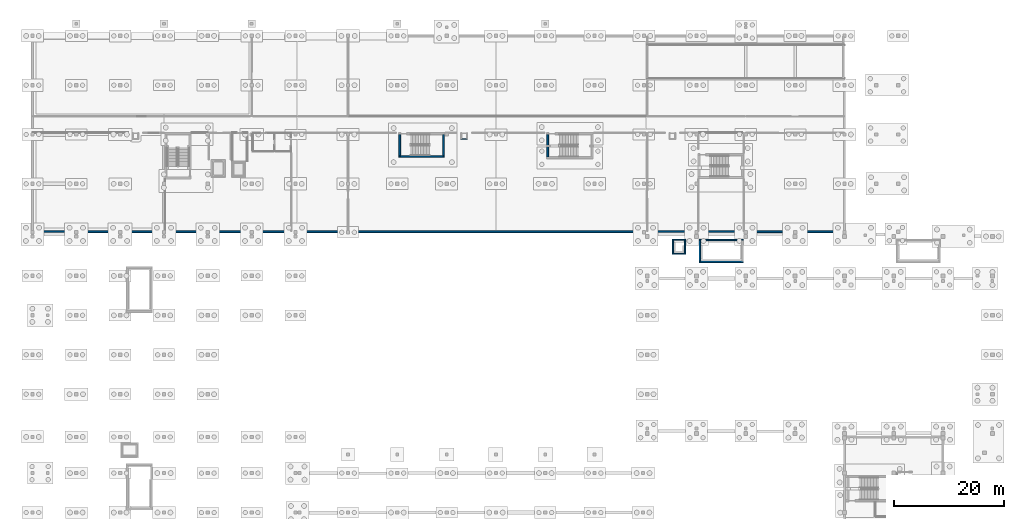
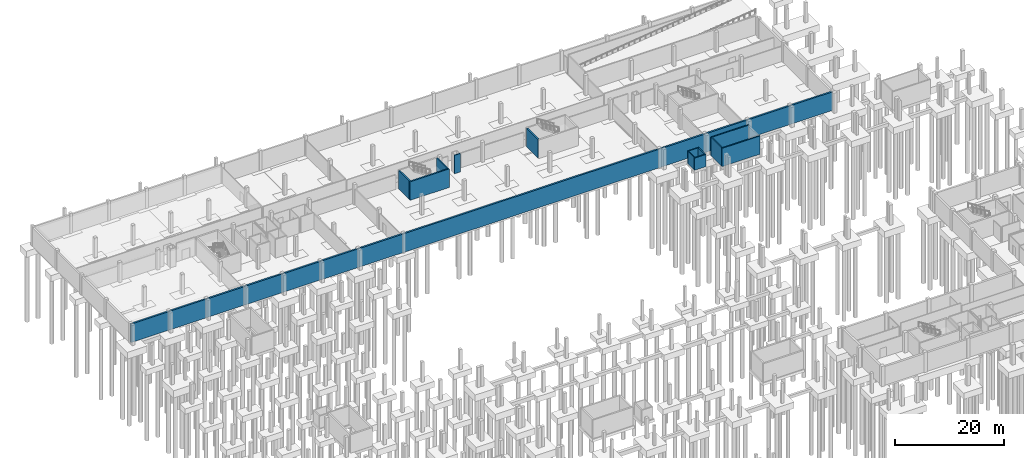
# One storey, part 21 of 36: 13 walls.
"""IFC4 building model written with IfcOpenShell, lengths in metres."""

from ifc_helpers import new_model, si_unit, direction, frame, frame_2d, origin, place, context, subcontext, project, spatial, rectangle, extrude, material, layer, layer_set, type_object, element, save


model = new_model("IFC4")

# Units and contexts
model_context = context("Model", 3, precision=1e-05, world=origin(), true_north=direction((0.0, 1.0)))
body_context = subcontext(model_context, "Body", "Model", "MODEL_VIEW")
ifc_project = project(units=[si_unit("LENGTHUNIT", "METRE"), si_unit("AREAUNIT", "SQUARE_METRE"), si_unit("VOLUMEUNIT", "CUBIC_METRE"), si_unit("PLANEANGLEUNIT", "RADIAN"), si_unit("MASSUNIT", "GRAM", prefix="KILO")], contexts=[model_context])

# Site, building, storey
site_placement = place(None, origin())
site = spatial("IfcSite", under=ifc_project, at=site_placement, CompositionType="ELEMENT")
building_placement = place(site_placement, origin())
building = spatial("IfcBuilding", under=site, at=building_placement, Name="Chiffa Square Polytechnic", CompositionType="ELEMENT")
storey_placement = place(building_placement, frame((0.0, 0.0, -4.5)))
storey = spatial("IfcBuildingStorey", under=building, at=storey_placement, Name="B1", CompositionType="ELEMENT", Elevation=-4.5)

# Walls
ifc_material_1 = material(Name="Concrete C40/50", Category="concrete")
ifc_layer_1 = layer(ifc_material_1, 0.25, Name="Concrete C40/50")
ifc_layer_set_1 = layer_set([ifc_layer_1], Name="Concrete C40/50")
wall_type_1 = type_object("IfcWallType", Name="WL-CORE-250", PredefinedType="SHEAR", material=ifc_layer_set_1)
for number, where, z_axis, x_axis, name in (
    (1, (121.699951171875, 89.550048828125, 0.0), (0.0, 0.0, 1.0), (1.0, 0.0, 0.0), "Core or enclosure wall WCSUB-CORE-V2A-B1-SOUTH"),
    (2, (121.699951171875, 93.554931640625, 0.0), (0.0, 0.0, 1.0), (1.0, 0.0, 0.0), "Core or enclosure wall WCSUB-CORE-V2A-B1-NORTH"),
):
    element("IfcWall", number, at=place(storey_placement, frame(where, z_axis=z_axis, x_axis=x_axis)), inside=storey, type_object=wall_type_1, Name=name, PredefinedType="SHEAR", context=body_context, shape_type="SweptSolid", body=[
        extrude(rectangle(XDim=8.0, YDim=0.25, at=frame_2d((4.0, 0.0))), origin(), (0.0, 0.0, 1.0), 4.080078125),
    ])
wall_1_placement = place(storey_placement, frame((121.824951171875, 89.675048828125, 0.0), z_axis=(0.0, 0.0, 1.0), x_axis=(0.0, 1.0, 0.0)))
element("IfcWall", 3, at=wall_1_placement, inside=storey, type_object=wall_type_1, Name="Core or enclosure wall WCSUB-CORE-V2A-B1-WEST", PredefinedType="SHEAR", context=body_context, shape_type="SweptSolid", body=[
    extrude(rectangle(XDim=3.7548828125, YDim=0.25, at=frame_2d((1.87744140625, 0.0))), origin(), (0.0, 0.0, 1.0), 4.080078125),
])
ifc_layer_2 = layer(ifc_material_1, 0.300048828125, Name="Concrete C40/50")
ifc_layer_set_2 = layer_set([ifc_layer_2], Name="Concrete C40/50")
wall_type_2 = type_object("IfcWallType", Name="WL-CORE-300", PredefinedType="SHEAR", material=ifc_layer_set_2)
wall_2_placement = place(storey_placement, frame((94.050048828125, 108.699951171875, 0.0), z_axis=(0.0, 0.0, 1.0), x_axis=(0.0, 1.0, 0.0)))
element("IfcWall", 4, at=wall_2_placement, inside=storey, type_object=wall_type_2, Name="Core or enclosure wall WC-CORE-V5B-B1-WEST", PredefinedType="SHEAR", context=body_context, shape_type="SweptSolid", body=[
    extrude(rectangle(XDim=4.10009765625, YDim=0.300048828125, at=frame_2d((2.050048828125, 0.0))), origin(), (0.0, 0.0, 1.0), 4.14990234375),
])
wall_3_placement = place(storey_placement, frame((66.89990234375, 108.800048828125, 0.0), z_axis=(0.0, 0.0, 1.0), x_axis=(1.0, 0.0, 0.0)))
element("IfcWall", 5, at=wall_3_placement, inside=storey, type_object=wall_type_2, Name="Core or enclosure wall WC-CORE-B1W-B1-SOUTH", PredefinedType="SHEAR", context=body_context, shape_type="SweptSolid", body=[
    extrude(rectangle(XDim=8.300048828125, YDim=0.300048828125, at=frame_2d((4.14990234375, 0.0))), origin(), (0.0, 0.0, 1.0), 4.14990234375),
])
for number, where, z_axis, x_axis, name in (
    (6, (67.050048828125, 108.949951171875, 0.0), (0.0, 0.0, 1.0), (0.0, 1.0, 0.0), "Core or enclosure wall WC-CORE-B1W-B1-WEST"),
    (7, (75.050048828125, 108.949951171875, 0.0), (0.0, 0.0, 1.0), (0.0, 1.0, 0.0), "Core or enclosure wall WC-CORE-B1W-B1-EAST"),
):
    element("IfcWall", number, at=place(storey_placement, frame(where, z_axis=z_axis, x_axis=x_axis)), inside=storey, type_object=wall_type_2, Name=name, PredefinedType="SHEAR", context=body_context, shape_type="SweptSolid", body=[
        extrude(rectangle(XDim=3.85009765625, YDim=0.300048828125, at=frame_2d((1.925048828125, 0.0))), origin(), (0.0, 0.0, 1.0), 4.14990234375),
    ])
ifc_material_2 = material(Name="Gypsum board on acoustic steel stud", Category="steel")
ifc_layer_3 = layer(ifc_material_2, 0.159912109375, Name="Gypsum board on acoustic steel stud")
ifc_layer_set_3 = layer_set([ifc_layer_3], Name="Gypsum board on acoustic steel stud")
wall_type_3 = type_object("IfcWallType", Name="WL-PART-EI60-160", PredefinedType="PARTITIONING", material=ifc_layer_set_3)
wall_4_placement = place(storey_placement, frame((78.199951171875, 111.97998046875, 0.0), z_axis=(0.0, 0.0, 1.0), x_axis=(1.0, 0.0, 0.0)))
element("IfcWall", 8, at=wall_4_placement, inside=storey, type_object=wall_type_3, Name="Core or enclosure wall WP-RSR-V5-M-B1-SOUTH", PredefinedType="PARTITIONING", context=body_context, shape_type="SweptSolid", body=[
    extrude(rectangle(XDim=1.199951171875, YDim=0.159912109375, at=frame_2d((0.60009765625, 0.0))), origin(), (0.0, 0.0, 1.0), 4.14990234375),
])
ifc_material_3 = material(Name="Concrete C35/45", Category="concrete")
ifc_layer_4 = layer(ifc_material_3, 0.360107421875, Name="Concrete C35/45")
ifc_layer_set_4 = layer_set([ifc_layer_4], Name="Concrete C35/45")
wall_type_4 = type_object("IfcWallType", Name="WL-RET-360", PredefinedType="USERDEFINED", material=ifc_layer_set_4)
wall_5_placement = place(storey_placement, frame((0.0, 95.050048828125, 0.0), z_axis=(0.0, 0.0, 1.0), x_axis=(1.0, 0.0, 0.0)))
element("IfcWall", 9, at=wall_5_placement, inside=storey, type_object=wall_type_4, Name="Basement retaining wall WE-V5-B1-0217", ObjectType="RETAININGWALL", PredefinedType="USERDEFINED", context=body_context, shape_type="SweptSolid", body=[
    extrude(rectangle(XDim=148.199951171875, YDim=0.360107421875, at=frame_2d((74.10009765625, 0.0))), origin(), (0.0, 0.0, 1.0), 4.14990234375),
])
ifc_layer_5 = layer(ifc_material_3, 0.219970703125, Name="Concrete C35/45")
ifc_layer_set_5 = layer_set([ifc_layer_5], Name="Concrete C35/45")
wall_type_5 = type_object("IfcWallType", Name="WL-SHAFT-220", PredefinedType="SHEAR", material=ifc_layer_set_5)
for number, where, z_axis, x_axis, name in (
    (10, (116.800048828125, 91.06005859375, 0.0), (0.0, 0.0, 1.0), (1.0, 0.0, 0.0), "Core or enclosure wall WSSUB-PIT-LP-V2-B1-SOUTH"),
    (11, (116.800048828125, 93.570068359375, 0.0), (0.0, 0.0, 1.0), (1.0, 0.0, 0.0), "Core or enclosure wall WSSUB-PIT-LP-V2-B1-NORTH"),
):
    element("IfcWall", number, at=place(storey_placement, frame(where, z_axis=z_axis, x_axis=x_axis)), inside=storey, type_object=wall_type_5, Name=name, PredefinedType="SHEAR", context=body_context, shape_type="SweptSolid", body=[
        extrude(rectangle(XDim=2.39990234375, YDim=0.219970703125, at=frame_2d((1.199951171875, 0.0))), origin(), (0.0, 0.0, 1.0), 2.699951171875),
    ])
for number, where, z_axis, x_axis, name in (
    (12, (116.909912109375, 91.169921875, 0.0), (0.0, 0.0, 1.0), (0.0, 1.0, 0.0), "Core or enclosure wall WSSUB-PIT-LP-V2-B1-WEST"),
    (13, (119.090087890625, 91.169921875, 0.0), (0.0, 0.0, 1.0), (0.0, 1.0, 0.0), "Core or enclosure wall WSSUB-PIT-LP-V2-B1-EAST"),
):
    element("IfcWall", number, at=place(storey_placement, frame(where, z_axis=z_axis, x_axis=x_axis)), inside=storey, type_object=wall_type_5, Name=name, PredefinedType="SHEAR", context=body_context, shape_type="SweptSolid", body=[
        extrude(rectangle(XDim=2.2900390625, YDim=0.219970703125, at=frame_2d((1.14501953125, 0.0))), origin(), (0.0, 0.0, 1.0), 2.699951171875),
    ])

save(model, "model.ifc")
